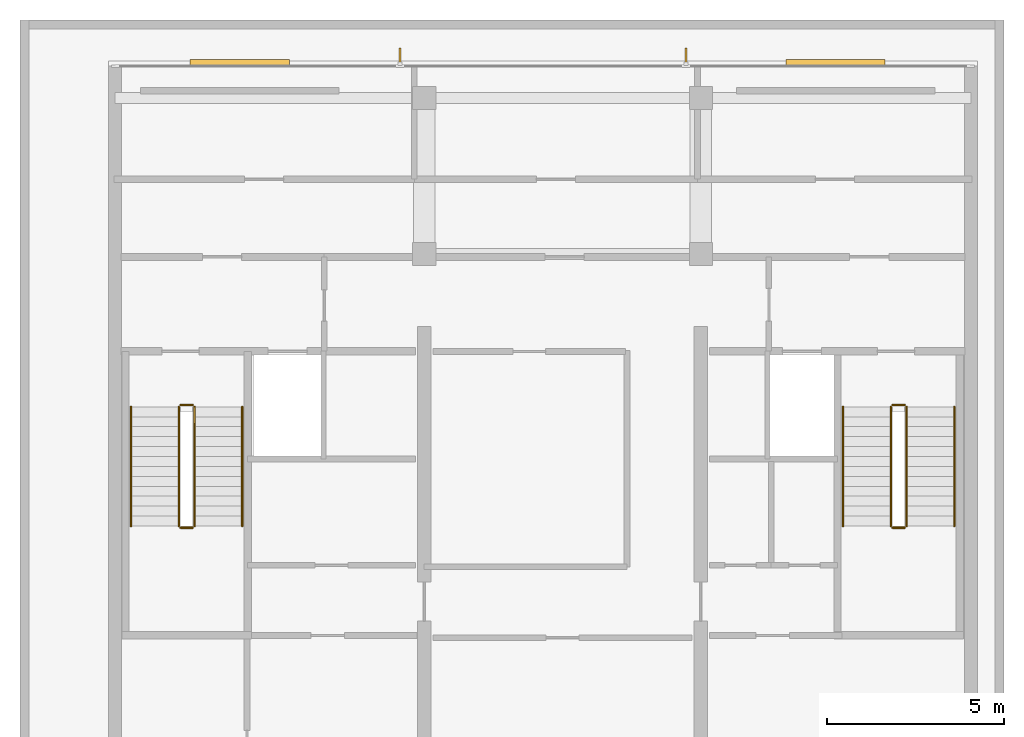
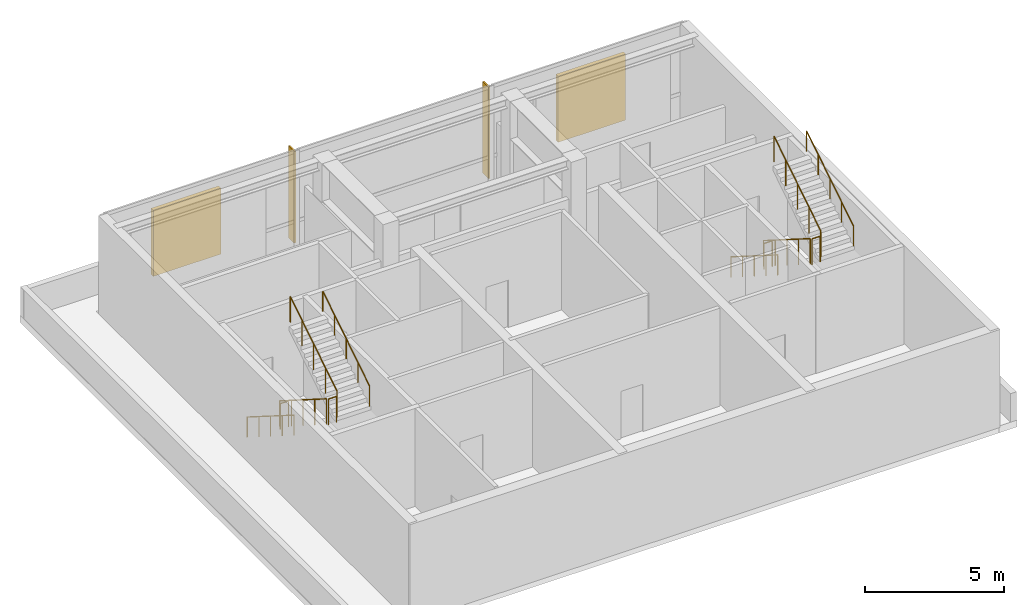
# One storey, part 4 of 4: 12 railings, 4 shading devices.
"""IFC4 building model written with IfcOpenShell, lengths in metres."""

import ifcopenshell
import ifcopenshell.guid

model = None  # the IFC model being written
_history = None  # IfcOwnerHistory: only IFC2X3 demands one
_inside = {}  # id of a spatial element -> (the spatial element, [elements in it])
_under = {}  # id of a project, library or spatial element -> (it, [spatial elements below it])
_declared = {}  # id of a project -> (the project, [libraries it declares])
_typed = {}  # id of a type object -> (the type object, [elements of that type])
_made_of = {}  # id of a material, layer set ... -> (it, [elements and type objects made of it])


def new_model(schema):
    """Start an empty IFC model of exactly this schema.

    Asked for "IFC4X3", IfcOpenShell would pick the latest addendum, in which some entities
    have other attributes; the version numbers below select the first issue.
    IFC2X3 requires an IfcOwnerHistory on every rooted entity: one is made here for all.
    """
    global model, _history
    if schema == "IFC4X3":
        model = ifcopenshell.file(schema_version=(4, 3, 0, 0))
    else:
        model = ifcopenshell.file(schema=schema)
    _inside.clear()
    _under.clear()
    _declared.clear()
    _typed.clear()
    _made_of.clear()
    _history = None
    if model.schema == "IFC2X3":
        org = make("IfcOrganization", Name="unknown")
        user = make(
            "IfcPersonAndOrganization",
            ThePerson=make("IfcPerson", FamilyName="unknown"),
            TheOrganization=org,
        )
        app = make(
            "IfcApplication",
            ApplicationDeveloper=org,
            Version="unknown",
            ApplicationFullName="unknown",
            ApplicationIdentifier="unknown",
        )
        _history = make(
            "IfcOwnerHistory",
            OwningUser=user,
            OwningApplication=app,
            ChangeAction="ADDED",
            CreationDate=0,
        )
    return model


def make(cls, **values):
    """One entity of the class cls with the attributes given. An attribute that is None is left unset."""
    return model.create_entity(
        cls, **{name: value for name, value in values.items() if value is not None}
    )


def rooted(cls, **values):
    """An entity with a GlobalId (a new one), such as an element, a storey or a relation."""
    return make(cls, GlobalId=ifcopenshell.guid.new(), OwnerHistory=_history, **values)


def si_unit(unit_type, name, prefix=None):
    """IfcSIUnit, for example si_unit("LENGTHUNIT", "METRE", prefix="MILLI")."""
    return make("IfcSIUnit", UnitType=unit_type, Prefix=prefix, Name=name)


def assignment(units):
    """IfcUnitAssignment: the units of a project."""
    return None if units is None else make("IfcUnitAssignment", Units=units)


def point(xyz):
    """IfcCartesianPoint."""
    return None if xyz is None else make("IfcCartesianPoint", Coordinates=xyz)


def direction(xyz):
    """IfcDirection."""
    return None if xyz is None else make("IfcDirection", DirectionRatios=xyz)


def frame(location, z_axis=None, x_axis=None):
    """IfcAxis2Placement3D, a coordinate frame: its origin and axes. An axis left out is left unset."""
    return make(
        "IfcAxis2Placement3D",
        Location=point(location),
        Axis=direction(z_axis),
        RefDirection=direction(x_axis),
    )


def frame_2d(location, x_axis=None):
    """IfcAxis2Placement2D, a coordinate frame in the plane: its origin and x axis."""
    return make(
        "IfcAxis2Placement2D", Location=point(location), RefDirection=direction(x_axis)
    )


def origin():
    """The frame at (0, 0, 0) with its axes left unset."""
    return frame((0.0, 0.0, 0.0))


def origin_2d():
    """The frame at (0, 0) in the plane with its x axis left unset."""
    return frame_2d((0.0, 0.0))


def place(relative_to, where):
    """IfcLocalPlacement: puts the frame where relative to a parent placement (None: the world)."""
    return make(
        "IfcLocalPlacement", PlacementRelTo=relative_to, RelativePlacement=where
    )


def context(
    kind, dimensions, precision=None, world=None, true_north=None, identifier=None
):
    """IfcGeometricRepresentationContext, for example the 3D "Model" context."""
    return make(
        "IfcGeometricRepresentationContext",
        ContextIdentifier=identifier,
        ContextType=kind,
        CoordinateSpaceDimension=dimensions,
        Precision=precision,
        WorldCoordinateSystem=world,
        TrueNorth=true_north,
    )


def subcontext(parent, identifier, kind, view, scale=None):
    """IfcGeometricRepresentationSubContext, for example "Body" below "Model"."""
    return make(
        "IfcGeometricRepresentationSubContext",
        ContextIdentifier=identifier,
        ContextType=kind,
        ParentContext=parent,
        TargetScale=scale,
        TargetView=view,
    )


def project(units=None, contexts=None):
    """IfcProject with its units and contexts."""
    return rooted(
        "IfcProject",
        Name="project",
        RepresentationContexts=contexts,
        UnitsInContext=assignment(units),
    )


def spatial(cls, under=None, at=None, **own):
    """A site, building, storey or space (cls), placed at a placement, below another one or the project."""
    s = rooted(cls, ObjectPlacement=at, **own)
    if under is not None:
        _under.setdefault(under.id(), (under, []))[1].append(s)
    return s


def polyline(points):
    """IfcPolyline through the points."""
    return make("IfcPolyline", Points=[point(p) for p in points])


def profile(cls, at=None, kind="AREA", **sizes):
    """A parametric profile (cls). Its sizes go by their IFC names, for example OverallWidth=200.0."""
    return make(cls, ProfileType=kind, Position=at, **sizes)


def circle(**sizes):
    """IfcCircleProfileDef."""
    return profile("IfcCircleProfileDef", **sizes)


def outline(outer, holes=None, kind="AREA"):
    """IfcArbitraryClosedProfileDef: a profile drawn as a closed curve; with holes, ...WithVoids."""
    if holes is None:
        return make("IfcArbitraryClosedProfileDef", ProfileType=kind, OuterCurve=outer)
    return make(
        "IfcArbitraryProfileDefWithVoids",
        ProfileType=kind,
        OuterCurve=outer,
        InnerCurves=holes,
    )


def extrude(swept, where, along, depth):
    """IfcExtrudedAreaSolid: the profile swept, set in the frame where, extruded along a direction by depth."""
    return make(
        "IfcExtrudedAreaSolid",
        SweptArea=swept,
        Position=where,
        ExtrudedDirection=direction(along),
        Depth=depth,
    )


def shape(context_of_items, identifier, shape_type, items):
    """IfcShapeRepresentation: the items that make up one representation, for example the "Body"."""
    return make(
        "IfcShapeRepresentation",
        ContextOfItems=context_of_items,
        RepresentationIdentifier=identifier,
        RepresentationType=shape_type,
        Items=items,
    )


def material(Name=None, Category=None):
    """IfcMaterial."""
    return make("IfcMaterial", Name=Name, Category=Category)


def layer(
    of_material, thickness, ventilated=None, Name=None, Category=None, Priority=None
):
    """IfcMaterialLayer: one layer of a wall or slab, of a material (None: an air gap)."""
    return make(
        "IfcMaterialLayer",
        Material=of_material,
        LayerThickness=thickness,
        IsVentilated=ventilated,
        Name=Name,
        Category=Category,
        Priority=Priority,
    )


def layer_set(layers, Name=None):
    """IfcMaterialLayerSet."""
    return make("IfcMaterialLayerSet", MaterialLayers=layers, LayerSetName=Name)


def made_of(thing, what):
    """Note that an element or type object is made of a material, layer set ...; save() writes the relation."""
    if what is not None:
        _made_of.setdefault(what.id(), (what, []))[1].append(thing)
    return thing


def type_object(cls, material=None, **own):
    """A type object (cls), such as IfcWallType, which elements share."""
    return made_of(rooted(cls, **own), material)


def element(
    cls,
    number,
    at=None,
    inside=None,
    cuts=None,
    type_object=None,
    material=None,
    context=None,
    identifier="Body",
    shape_type=None,
    held_by="IfcProductDefinitionShape",
    body=None,
    shapes=None,
    **own,
):
    """One element of the class cls, such as IfcWall. Its Tag is "e" and its number.

    at: its placement. inside: the storey or other place that contains it. cuts: it is an
    opening in that element (IfcRelVoidsElement). A single representation is given by context,
    identifier, shape_type and body (its items); several are given by shapes. held_by: the class
    of the entity that holds the representations. save() writes the other relations.
    """
    e = rooted(cls, Tag="e%d" % number, ObjectPlacement=at, **own)
    if body is not None:
        shapes = [shape(context, identifier, shape_type, body)]
    if shapes is not None:
        e.Representation = make(held_by, Representations=shapes)
    if inside is not None:
        _inside.setdefault(inside.id(), (inside, []))[1].append(e)
    if cuts is not None:
        rooted(
            "IfcRelVoidsElement", RelatingBuildingElement=cuts, RelatedOpeningElement=e
        )
    if type_object is not None:
        _typed.setdefault(type_object.id(), (type_object, []))[1].append(e)
    return made_of(e, material)


def aggregate(whole, parts):
    """IfcRelAggregates: a whole, such as a stair, and the parts it consists of."""
    return rooted("IfcRelAggregates", RelatingObject=whole, RelatedObjects=parts)


def save(model, path):
    """Write the relations noted so far, then the file.

    IfcRelAggregates (storeys below a building ...), IfcRelContainedInSpatialStructure (elements
    in a storey), IfcRelDefinesByType, IfcRelAssociatesMaterial and IfcRelDeclares: one each for
    every whole, place, type object, material and project.
    """
    for whole, parts in _under.values():
        aggregate(whole, parts)
    for where, things in _inside.values():
        rooted(
            "IfcRelContainedInSpatialStructure",
            RelatedElements=things,
            RelatingStructure=where,
        )
    for kind, things in _typed.values():
        rooted("IfcRelDefinesByType", RelatedObjects=things, RelatingType=kind)
    for what, things in _made_of.values():
        rooted("IfcRelAssociatesMaterial", RelatedObjects=things, RelatingMaterial=what)
    for by, libraries in _declared.values():
        rooted("IfcRelDeclares", RelatingContext=by, RelatedDefinitions=libraries)
    model.write(path)


model = new_model("IFC4")

# Units and contexts
model_context = context("Model", 3, precision=1e-05, world=origin(), true_north=direction((0.0, 1.0)))
body_context = subcontext(model_context, "Body", "Model", "MODEL_VIEW")
ifc_project = project(units=[si_unit("LENGTHUNIT", "METRE"), si_unit("AREAUNIT", "SQUARE_METRE"), si_unit("VOLUMEUNIT", "CUBIC_METRE"), si_unit("PLANEANGLEUNIT", "RADIAN"), si_unit("MASSUNIT", "GRAM", prefix="KILO")], contexts=[model_context])

# Site, building, storey
site_placement = place(None, origin())
site = spatial("IfcSite", under=ifc_project, at=site_placement, CompositionType="ELEMENT")
building_placement = place(site_placement, origin())
building = spatial("IfcBuilding", under=site, at=building_placement, Name="Qalmaran Belvedere Hotel", CompositionType="ELEMENT")
storey_placement = place(building_placement, frame((0.0, 0.0, 307.89990234375)))
storey = spatial("IfcBuildingStorey", under=building, at=storey_placement, Name="C03", CompositionType="ELEMENT", Elevation=307.89990234375)

# Shading devices
ifc_material_1 = material(Name="Anodised Bronze Aluminium", Category="aluminium")
ifc_layer_1 = layer(ifc_material_1, 0.06494140625, Name="Anodised Bronze Aluminium")
ifc_layer_set_1 = layer_set([ifc_layer_1], Name="Anodised Bronze Aluminium")
shading_device_type_1 = type_object("IfcShadingDeviceType", Name="FIN-BRNZ-420", PredefinedType="USERDEFINED", material=ifc_layer_set_1)
shading_device_1_placement = place(storey_placement, frame((0.0, 0.0, 0.16015625)))
element("IfcShadingDevice", 1, at=shading_device_1_placement, inside=storey, type_object=shading_device_type_1, Name="C03 Bronze Fin 1", ObjectType="FIN", PredefinedType="USERDEFINED", context=body_context, shape_type="SweptSolid", body=[
    extrude(outline(polyline([(36.61572265625, 25.892578125), (36.61572265625, 26.3125), (36.55078125, 26.3125), (36.55078125, 25.892578125), (36.61572265625, 25.892578125)])), origin(), (0.0, 0.0, 1.0), 4.02001953125),
])
shading_device_2_placement = place(storey_placement, frame((0.0, 0.0, 0.16015625)))
element("IfcShadingDevice", 2, at=shading_device_2_placement, inside=storey, type_object=shading_device_type_1, Name="C03 Bronze Fin 2", ObjectType="FIN", PredefinedType="USERDEFINED", context=body_context, shape_type="SweptSolid", body=[
    extrude(outline(polyline([(28.54931640625, 25.892578125), (28.54931640625, 26.3125), (28.484130859375, 26.3125), (28.484130859375, 25.892578125), (28.54931640625, 25.892578125)])), origin(), (0.0, 0.0, 1.0), 4.02001953125),
])
ifc_layer_2 = layer(ifc_material_1, 0.159912109375, Name="Anodised Bronze Aluminium")
ifc_layer_set_2 = layer_set([ifc_layer_2], Name="Anodised Bronze Aluminium")
shading_device_type_2 = type_object("IfcShadingDeviceType", Name="LVR-CROWN-160", PredefinedType="JALOUSIE", material=ifc_layer_set_2)
shading_device_3_placement = place(storey_placement, frame((0.0, 0.0, 0.800048828125)))
element("IfcShadingDevice", 3, at=shading_device_3_placement, inside=storey, type_object=shading_device_type_2, Name="C03 Crown Louvre 1", PredefinedType="JALOUSIE", context=body_context, shape_type="SweptSolid", body=[
    extrude(outline(polyline([(22.60009765625, 25.830078125), (25.39990234375, 25.830078125), (25.39990234375, 25.989990234375), (22.60009765625, 25.989990234375), (22.60009765625, 25.830078125)])), origin(), (0.0, 0.0, 1.0), 2.900146484375),
])
shading_device_4_placement = place(storey_placement, frame((0.0, 0.0, 0.800048828125)))
element("IfcShadingDevice", 4, at=shading_device_4_placement, inside=storey, type_object=shading_device_type_2, Name="C03 Crown Louvre 2", PredefinedType="JALOUSIE", context=body_context, shape_type="SweptSolid", body=[
    extrude(outline(polyline([(39.39990234375, 25.830078125), (42.199951171875, 25.830078125), (42.199951171875, 25.989990234375), (39.39990234375, 25.989990234375), (39.39990234375, 25.830078125)])), origin(), (0.0, 0.0, 1.0), 2.900146484375),
])

# Railings
ifc_material_2 = material(Name="Stainless Steel 1.4401", Category="steel")
railing_type_1 = type_object("IfcRailingType", Name="RLG-STAIR-GUARD-1150", PredefinedType="GUARDRAIL", material=ifc_material_2)
railing_1_placement = place(storey_placement, frame((22.280029296875, 16.18994140625, 0.177001953125)))
element("IfcRailing", 5, at=railing_1_placement, inside=storey, type_object=railing_type_1, Name="C03 ST-1 stair guard 1", PredefinedType="GUARDRAIL", context=body_context, shape_type="SweptSolid", body=[
    extrude(circle(Radius=0.02392578125, at=origin_2d()), frame((0.0, 0.0, 1.1259765625), z_axis=(0.0, -0.845372108799, 0.534177870812), x_axis=(1.0, 0.0, 0.0)), (0.0, 0.0, 1.0), 3.974365234375),
    extrude(circle(Radius=0.02099609375, at=origin_2d()), origin(), (0.0, 0.0, 1.0), 1.101806640625),
    extrude(circle(Radius=0.02099609375, at=origin_2d()), frame((0.0, -0.83984375, 0.53076171875)), (0.0, 0.0, 1.0), 1.101806640625),
    extrude(circle(Radius=0.02099609375, at=origin_2d()), frame((0.0, -1.679931640625, 1.0615234375)), (0.0, 0.0, 1.0), 1.101806640625),
    extrude(circle(Radius=0.02099609375, at=origin_2d()), frame((0.0, -2.52001953125, 1.59228515625)), (0.0, 0.0, 1.0), 1.101806640625),
    extrude(circle(Radius=0.02099609375, at=origin_2d()), frame((0.0, -3.35986328125, 2.123046875)), (0.0, 0.0, 1.0), 1.101806640625),
])
railing_2_placement = place(storey_placement, frame((22.330078125, 12.780029296875, 2.300048828125)))
element("IfcRailing", 6, at=railing_2_placement, inside=storey, type_object=railing_type_1, Name="C03 ST-1 stair guard 2", PredefinedType="GUARDRAIL", context=body_context, shape_type="SweptSolid", body=[
    extrude(circle(Radius=0.02392578125, at=origin_2d()), frame((0.0, 0.0, 1.1259765625), z_axis=(1.0, 0.0, 0.0), x_axis=(0.0, 1.0, 0.0)), (0.0, 0.0, 1.0), 0.33984375),
    extrude(circle(Radius=0.02099609375, at=origin_2d()), origin(), (0.0, 0.0, 1.0), 1.101806640625),
    extrude(circle(Radius=0.02099609375, at=origin_2d()), frame((0.33984375, 0.0, 0.0)), (0.0, 0.0, 1.0), 1.101806640625),
])
railing_3_placement = place(storey_placement, frame((22.719970703125, 12.830078125, 2.47705078125)))
element("IfcRailing", 7, at=railing_3_placement, inside=storey, type_object=railing_type_1, Name="C03 ST-1 stair guard 3", PredefinedType="GUARDRAIL", context=body_context, shape_type="SweptSolid", body=[
    extrude(circle(Radius=0.02392578125, at=origin_2d()), frame((0.0, 0.0, 1.1259765625), z_axis=(0.0, 0.845372108799, 0.534177870812), x_axis=(-1.0, 0.0, 0.0)), (0.0, 0.0, 1.0), 3.974365234375),
    extrude(circle(Radius=0.02099609375, at=origin_2d()), origin(), (0.0, 0.0, 1.0), 1.101806640625),
    extrude(circle(Radius=0.02099609375, at=origin_2d()), frame((0.0, 0.83984375, 0.53076171875)), (0.0, 0.0, 1.0), 1.101806640625),
    extrude(circle(Radius=0.02099609375, at=origin_2d()), frame((0.0, 1.679931640625, 1.0615234375)), (0.0, 0.0, 1.0), 1.101806640625),
    extrude(circle(Radius=0.02099609375, at=origin_2d()), frame((0.0, 2.52001953125, 1.59228515625)), (0.0, 0.0, 1.0), 1.101806640625),
    extrude(circle(Radius=0.02099609375, at=origin_2d()), frame((0.0, 3.35986328125, 2.123046875)), (0.0, 0.0, 1.0), 1.101806640625),
])
railing_4_placement = place(storey_placement, frame((22.330078125, 16.239990234375, 0.0)))
element("IfcRailing", 8, at=railing_4_placement, inside=storey, type_object=railing_type_1, Name="C03 ST-1 stair guard 4", PredefinedType="GUARDRAIL", context=body_context, shape_type="SweptSolid", body=[
    extrude(circle(Radius=0.02392578125, at=origin_2d()), frame((0.0, 0.0, 1.1259765625), z_axis=(1.0, 0.0, 0.0), x_axis=(0.0, 1.0, 0.0)), (0.0, 0.0, 1.0), 0.33984375),
    extrude(circle(Radius=0.02099609375, at=origin_2d()), origin(), (0.0, 0.0, 1.0), 1.101806640625),
    extrude(circle(Radius=0.02099609375, at=origin_2d()), frame((0.33984375, 0.0, 0.0)), (0.0, 0.0, 1.0), 1.101806640625),
])
railing_5_placement = place(storey_placement, frame((42.360107421875, 16.18994140625, 0.177001953125)))
element("IfcRailing", 9, at=railing_5_placement, inside=storey, type_object=railing_type_1, Name="C03 ST-2 stair guard 1", PredefinedType="GUARDRAIL", context=body_context, shape_type="SweptSolid", body=[
    extrude(circle(Radius=0.02392578125, at=origin_2d()), frame((0.0, 0.0, 1.1259765625), z_axis=(0.0, -0.845372108799, 0.534177870812), x_axis=(1.0, 0.0, 0.0)), (0.0, 0.0, 1.0), 3.974365234375),
    extrude(circle(Radius=0.02099609375, at=origin_2d()), origin(), (0.0, 0.0, 1.0), 1.101806640625),
    extrude(circle(Radius=0.02099609375, at=origin_2d()), frame((0.0, -0.83984375, 0.53076171875)), (0.0, 0.0, 1.0), 1.101806640625),
    extrude(circle(Radius=0.02099609375, at=origin_2d()), frame((0.0, -1.679931640625, 1.0615234375)), (0.0, 0.0, 1.0), 1.101806640625),
    extrude(circle(Radius=0.02099609375, at=origin_2d()), frame((0.0, -2.52001953125, 1.59228515625)), (0.0, 0.0, 1.0), 1.101806640625),
    extrude(circle(Radius=0.02099609375, at=origin_2d()), frame((0.0, -3.35986328125, 2.123046875)), (0.0, 0.0, 1.0), 1.101806640625),
])
railing_6_placement = place(storey_placement, frame((42.409912109375, 12.780029296875, 2.300048828125)))
element("IfcRailing", 10, at=railing_6_placement, inside=storey, type_object=railing_type_1, Name="C03 ST-2 stair guard 2", PredefinedType="GUARDRAIL", context=body_context, shape_type="SweptSolid", body=[
    extrude(circle(Radius=0.02392578125, at=origin_2d()), frame((0.0, 0.0, 1.1259765625), z_axis=(1.0, 0.0, 0.0), x_axis=(0.0, 1.0, 0.0)), (0.0, 0.0, 1.0), 0.340087890625),
    extrude(circle(Radius=0.02099609375, at=origin_2d()), origin(), (0.0, 0.0, 1.0), 1.101806640625),
    extrude(circle(Radius=0.02099609375, at=origin_2d()), frame((0.340087890625, 0.0, 0.0)), (0.0, 0.0, 1.0), 1.101806640625),
])
railing_7_placement = place(storey_placement, frame((42.800048828125, 12.830078125, 2.47705078125)))
element("IfcRailing", 11, at=railing_7_placement, inside=storey, type_object=railing_type_1, Name="C03 ST-2 stair guard 3", PredefinedType="GUARDRAIL", context=body_context, shape_type="SweptSolid", body=[
    extrude(circle(Radius=0.02392578125, at=origin_2d()), frame((0.0, 0.0, 1.1259765625), z_axis=(0.0, 0.845372108799, 0.534177870812), x_axis=(-1.0, 0.0, 0.0)), (0.0, 0.0, 1.0), 3.974365234375),
    extrude(circle(Radius=0.02099609375, at=origin_2d()), origin(), (0.0, 0.0, 1.0), 1.101806640625),
    extrude(circle(Radius=0.02099609375, at=origin_2d()), frame((0.0, 0.83984375, 0.53076171875)), (0.0, 0.0, 1.0), 1.101806640625),
    extrude(circle(Radius=0.02099609375, at=origin_2d()), frame((0.0, 1.679931640625, 1.0615234375)), (0.0, 0.0, 1.0), 1.101806640625),
    extrude(circle(Radius=0.02099609375, at=origin_2d()), frame((0.0, 2.52001953125, 1.59228515625)), (0.0, 0.0, 1.0), 1.101806640625),
    extrude(circle(Radius=0.02099609375, at=origin_2d()), frame((0.0, 3.35986328125, 2.123046875)), (0.0, 0.0, 1.0), 1.101806640625),
])
railing_8_placement = place(storey_placement, frame((42.409912109375, 16.239990234375, 0.0)))
element("IfcRailing", 12, at=railing_8_placement, inside=storey, type_object=railing_type_1, Name="C03 ST-2 stair guard 4", PredefinedType="GUARDRAIL", context=body_context, shape_type="SweptSolid", body=[
    extrude(circle(Radius=0.02392578125, at=origin_2d()), frame((0.0, 0.0, 1.1259765625), z_axis=(1.0, 0.0, 0.0), x_axis=(0.0, 1.0, 0.0)), (0.0, 0.0, 1.0), 0.340087890625),
    extrude(circle(Radius=0.02099609375, at=origin_2d()), origin(), (0.0, 0.0, 1.0), 1.101806640625),
    extrude(circle(Radius=0.02099609375, at=origin_2d()), frame((0.340087890625, 0.0, 0.0)), (0.0, 0.0, 1.0), 1.101806640625),
])
railing_type_2 = type_object("IfcRailingType", Name="RLG-STAIR-HAND-910", PredefinedType="HANDRAIL", material=ifc_material_2)
railing_9_placement = place(storey_placement, frame((20.929931640625, 16.18994140625, 0.177001953125)))
element("IfcRailing", 13, at=railing_9_placement, inside=storey, type_object=railing_type_2, Name="C03 ST-1 stair handrail 1", PredefinedType="HANDRAIL", context=body_context, shape_type="SweptSolid", body=[
    extrude(circle(Radius=0.02392578125, at=origin_2d()), frame((0.0, 0.0, 0.8857421875), z_axis=(0.0, -0.845372108799, 0.534177870812), x_axis=(1.0, 0.0, 0.0)), (0.0, 0.0, 1.0), 3.974365234375),
    extrude(circle(Radius=0.02099609375, at=origin_2d()), origin(), (0.0, 0.0, 1.0), 0.86181640625),
    extrude(circle(Radius=0.02099609375, at=origin_2d()), frame((0.0, -0.83984375, 0.53076171875)), (0.0, 0.0, 1.0), 0.86181640625),
    extrude(circle(Radius=0.02099609375, at=origin_2d()), frame((0.0, -1.679931640625, 1.0615234375)), (0.0, 0.0, 1.0), 0.86181640625),
    extrude(circle(Radius=0.02099609375, at=origin_2d()), frame((0.0, -2.52001953125, 1.59228515625)), (0.0, 0.0, 1.0), 0.86181640625),
    extrude(circle(Radius=0.02099609375, at=origin_2d()), frame((0.0, -3.35986328125, 2.123046875)), (0.0, 0.0, 1.0), 0.86181640625),
])
railing_10_placement = place(storey_placement, frame((24.070068359375, 12.830078125, 2.47705078125)))
element("IfcRailing", 14, at=railing_10_placement, inside=storey, type_object=railing_type_2, Name="C03 ST-1 stair handrail 2", PredefinedType="HANDRAIL", context=body_context, shape_type="SweptSolid", body=[
    extrude(circle(Radius=0.02392578125, at=origin_2d()), frame((0.0, 0.0, 0.8857421875), z_axis=(0.0, 0.845372108799, 0.534177870812), x_axis=(-1.0, 0.0, 0.0)), (0.0, 0.0, 1.0), 3.974365234375),
    extrude(circle(Radius=0.02099609375, at=origin_2d()), origin(), (0.0, 0.0, 1.0), 0.86181640625),
    extrude(circle(Radius=0.02099609375, at=origin_2d()), frame((0.0, 0.83984375, 0.53076171875)), (0.0, 0.0, 1.0), 0.86181640625),
    extrude(circle(Radius=0.02099609375, at=origin_2d()), frame((0.0, 1.679931640625, 1.0615234375)), (0.0, 0.0, 1.0), 0.86181640625),
    extrude(circle(Radius=0.02099609375, at=origin_2d()), frame((0.0, 2.52001953125, 1.59228515625)), (0.0, 0.0, 1.0), 0.86181640625),
    extrude(circle(Radius=0.02099609375, at=origin_2d()), frame((0.0, 3.35986328125, 2.123046875)), (0.0, 0.0, 1.0), 0.86181640625),
])
railing_11_placement = place(storey_placement, frame((41.010009765625, 16.18994140625, 0.177001953125)))
element("IfcRailing", 15, at=railing_11_placement, inside=storey, type_object=railing_type_2, Name="C03 ST-2 stair handrail 1", PredefinedType="HANDRAIL", context=body_context, shape_type="SweptSolid", body=[
    extrude(circle(Radius=0.02392578125, at=origin_2d()), frame((0.0, 0.0, 0.8857421875), z_axis=(0.0, -0.845372108799, 0.534177870812), x_axis=(1.0, 0.0, 0.0)), (0.0, 0.0, 1.0), 3.974365234375),
    extrude(circle(Radius=0.02099609375, at=origin_2d()), origin(), (0.0, 0.0, 1.0), 0.86181640625),
    extrude(circle(Radius=0.02099609375, at=origin_2d()), frame((0.0, -0.83984375, 0.53076171875)), (0.0, 0.0, 1.0), 0.86181640625),
    extrude(circle(Radius=0.02099609375, at=origin_2d()), frame((0.0, -1.679931640625, 1.0615234375)), (0.0, 0.0, 1.0), 0.86181640625),
    extrude(circle(Radius=0.02099609375, at=origin_2d()), frame((0.0, -2.52001953125, 1.59228515625)), (0.0, 0.0, 1.0), 0.86181640625),
    extrude(circle(Radius=0.02099609375, at=origin_2d()), frame((0.0, -3.35986328125, 2.123046875)), (0.0, 0.0, 1.0), 0.86181640625),
])
railing_12_placement = place(storey_placement, frame((44.14990234375, 12.830078125, 2.47705078125)))
element("IfcRailing", 16, at=railing_12_placement, inside=storey, type_object=railing_type_2, Name="C03 ST-2 stair handrail 2", PredefinedType="HANDRAIL", context=body_context, shape_type="SweptSolid", body=[
    extrude(circle(Radius=0.02392578125, at=origin_2d()), frame((0.0, 0.0, 0.8857421875), z_axis=(0.0, 0.845372108799, 0.534177870812), x_axis=(-1.0, 0.0, 0.0)), (0.0, 0.0, 1.0), 3.974365234375),
    extrude(circle(Radius=0.02099609375, at=origin_2d()), origin(), (0.0, 0.0, 1.0), 0.86181640625),
    extrude(circle(Radius=0.02099609375, at=origin_2d()), frame((0.0, 0.83984375, 0.53076171875)), (0.0, 0.0, 1.0), 0.86181640625),
    extrude(circle(Radius=0.02099609375, at=origin_2d()), frame((0.0, 1.679931640625, 1.0615234375)), (0.0, 0.0, 1.0), 0.86181640625),
    extrude(circle(Radius=0.02099609375, at=origin_2d()), frame((0.0, 2.52001953125, 1.59228515625)), (0.0, 0.0, 1.0), 0.86181640625),
    extrude(circle(Radius=0.02099609375, at=origin_2d()), frame((0.0, 3.35986328125, 2.123046875)), (0.0, 0.0, 1.0), 0.86181640625),
])

save(model, "model.ifc")
